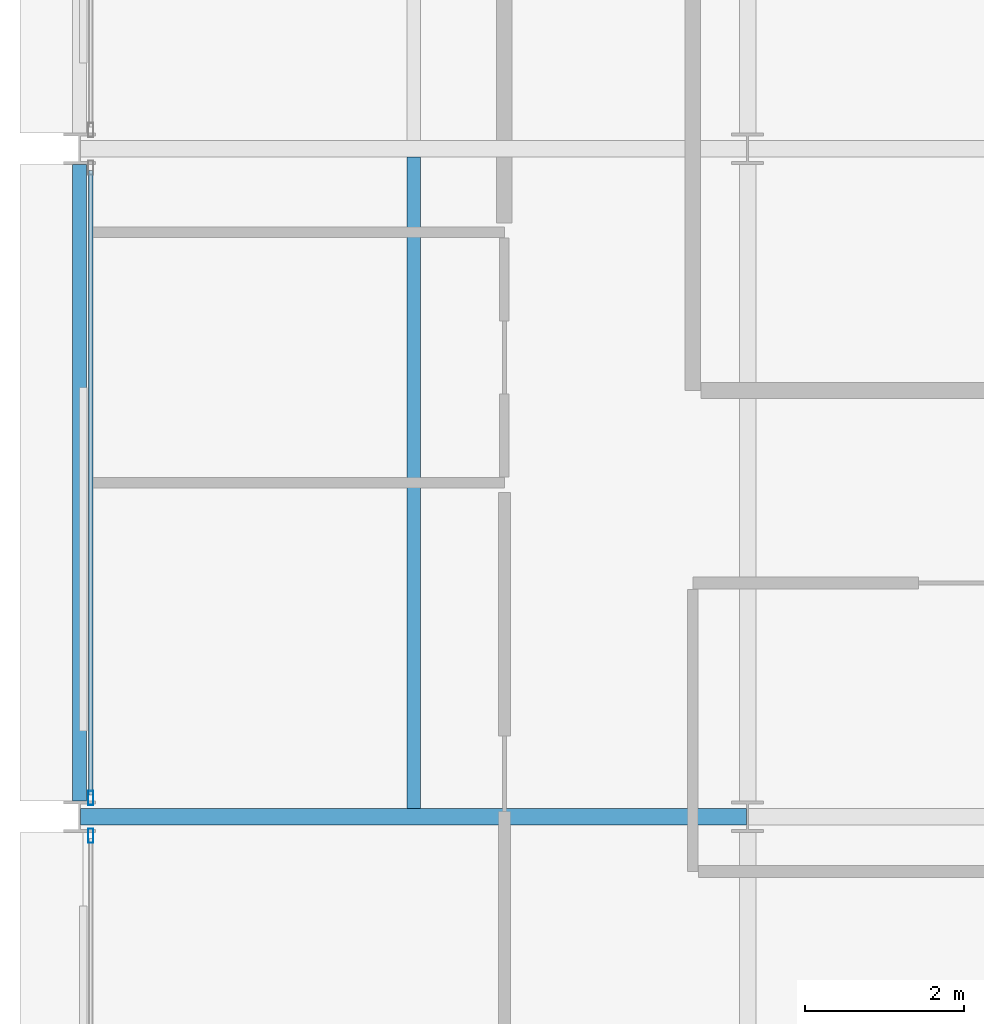
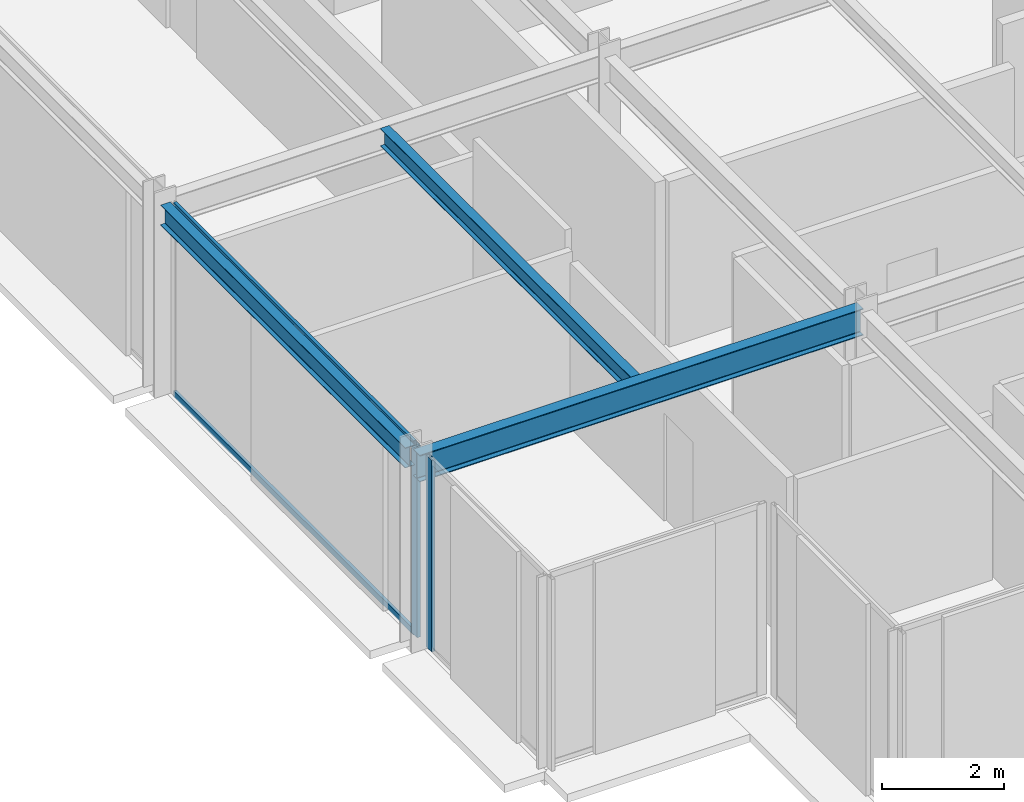
# One storey, part 6 of 39: 4 members, 3 beams, 2 elements without a shape of their own.
"""IFC4 building model written with IfcOpenShell, lengths in metres."""

from ifc_helpers import new_model, si_unit, direction, frame, origin, origin_2d, place, context, subcontext, project, spatial, hollow_rectangle, i_section, extrude, material, layer, layer_set, material_profile, profile_set, type_object, element, aggregate, save


model = new_model("IFC4")

# Units and contexts
model_context = context("Model", 3, precision=1e-05, world=origin(), true_north=direction((0.0, 1.0)))
body_context = subcontext(model_context, "Body", "Model", "MODEL_VIEW")
ifc_project = project(units=[si_unit("LENGTHUNIT", "METRE"), si_unit("AREAUNIT", "SQUARE_METRE"), si_unit("VOLUMEUNIT", "CUBIC_METRE"), si_unit("PLANEANGLEUNIT", "RADIAN"), si_unit("MASSUNIT", "GRAM", prefix="KILO")], contexts=[model_context])

# Site, building, storey
site_placement = place(None, origin())
site = spatial("IfcSite", under=ifc_project, at=site_placement, CompositionType="ELEMENT")
building_placement = place(site_placement, origin())
building = spatial("IfcBuilding", under=site, at=building_placement, Name="Nerrivon Quay Data Exchange", CompositionType="ELEMENT")
storey_placement = place(building_placement, frame((0.0, 0.0, 104.89990234375)))
storey = spatial("IfcBuildingStorey", under=building, at=storey_placement, Name="L24", CompositionType="ELEMENT", Elevation=104.89990234375)

# Beams
ifc_material_1 = material(Name="Steel Grade 350", Category="steel")
ifc_material_profile_1 = material_profile(ifc_material_1, i_section(OverallWidth=0.208984375, OverallDepth=0.532958984375, WebThickness=0.01025390625, FlangeThickness=0.015625, FilletRadius=0.013916015625, at=origin_2d()), Name="530UB92.4")
ifc_profile_set_1 = profile_set([ifc_material_profile_1], Name="Steel Grade 350")
beam_type_1 = type_object("IfcBeamType", Name="BM-G3-530UB92", PredefinedType="BEAM", material=ifc_profile_set_1)
beam_1_placement = place(storey_placement, frame((0.012451171875, 8.39990234375, 3.55859375), z_axis=(1.0, 0.0, 0.0), x_axis=(0.0, 1.0, 0.0)))
element("IfcBeam", 1, at=beam_1_placement, inside=storey, type_object=beam_type_1, Name="L24 EW Girder Y=8.4 (0.0..8.4)", PredefinedType="BEAM", context=body_context, shape_type="SweptSolid", body=[
    extrude(i_section(OverallWidth=0.208984375, OverallDepth=0.532958984375, WebThickness=0.01025390625, FlangeThickness=0.015625, FilletRadius=0.013916015625, at=origin_2d()), origin(), (0.0, 0.0, 1.0), 8.375),
])
ifc_material_profile_2 = material_profile(ifc_material_1, i_section(OverallWidth=0.1708984375, OverallDepth=0.35595703125, WebThickness=0.00732421875, FlangeThickness=0.011474609375, FilletRadius=0.011474609375, at=origin_2d()), Name="360UB50.7")
ifc_profile_set_2 = profile_set([ifc_material_profile_2], Name="Steel Grade 350")
beam_type_2 = type_object("IfcBeamType", Name="BM-J4-360UB51", PredefinedType="JOIST", material=ifc_profile_set_2)
beam_2_placement = place(storey_placement, frame((4.199951171875, 8.50439453125, 3.647216796875), z_axis=(0.0, 1.0, 0.0), x_axis=(-1.0, 0.0, 0.0)))
element("IfcBeam", 2, at=beam_2_placement, inside=storey, type_object=beam_type_2, Name="L24 Secondary Joist X=4.2 (8.4..16.8)", PredefinedType="JOIST", context=body_context, shape_type="SweptSolid", body=[
    extrude(i_section(OverallWidth=0.1708984375, OverallDepth=0.35595703125, WebThickness=0.00732421875, FlangeThickness=0.011474609375, FilletRadius=0.011474609375, at=origin_2d()), origin(), (0.0, 0.0, 1.0), 8.191162109375),
])
ifc_material_profile_3 = material_profile(ifc_material_1, i_section(OverallWidth=0.177978515625, OverallDepth=0.403076171875, WebThickness=0.007568359375, FlangeThickness=0.010986328125, FilletRadius=0.011474609375, at=origin_2d()), Name="410UB53.7")
ifc_profile_set_3 = profile_set([ifc_material_profile_3], Name="Steel Grade 350")
beam_type_3 = type_object("IfcBeamType", Name="BM-SP2-410UB54", PredefinedType="SPANDREL", material=ifc_profile_set_3)
beam_3_placement = place(storey_placement, frame((0.0, 8.60009765625, 3.62353515625), z_axis=(0.0, 1.0, 0.0), x_axis=(-1.0, 0.0, 0.0)))
element("IfcBeam", 3, at=beam_3_placement, inside=storey, type_object=beam_type_3, Name="L24 NS Girder X=0.0 (8.4..16.8)", PredefinedType="SPANDREL", context=body_context, shape_type="SweptSolid", body=[
    extrude(i_section(OverallWidth=0.177978515625, OverallDepth=0.403076171875, WebThickness=0.007568359375, FlangeThickness=0.010986328125, FilletRadius=0.011474609375, at=origin_2d()), origin(), (0.0, 0.0, 1.0), 8.0),
])

# Curtain wall, member
ifc_material_2 = material(Name="Anodised aluminium 6063-T6", Category="aluminium")
ifc_layer = layer(ifc_material_2, 0.2099609375)
ifc_layer_set = layer_set([ifc_layer], Name="Anodised aluminium 6063-T6")
curtain_wall_type = type_object("IfcCurtainWallType", Name="CW-SYS-02", PredefinedType="NOTDEFINED", material=ifc_layer_set)
curtain_wall_1_placement = place(storey_placement, origin())
curtain_wall_1 = element("IfcCurtainWall", 4, at=curtain_wall_1_placement, inside=storey, type_object=curtain_wall_type, Name="L24 Unitised Curtain Wall 17", PredefinedType="NOTDEFINED")
ifc_material_profile_4 = material_profile(ifc_material_2, hollow_rectangle(XDim=0.06494140625, YDim=0.179931640625, WallThickness=0.00341796875, at=origin_2d()), Name="ALU-MULL-180x65")
ifc_profile_set_4 = profile_set([ifc_material_profile_4], Name="Anodised aluminium 6063-T6")
member_type_1 = type_object("IfcMemberType", Name="CWM-180x65", PredefinedType="MULLION", material=ifc_profile_set_4)
member_1_placement = place(storey_placement, frame((0.139892578125, 8.16259765625, 0.0), z_axis=(0.0, 0.0, 1.0), x_axis=(-1.0, 0.0, 0.0)))
member_1 = element("IfcMember", 5, at=member_1_placement, type_object=member_type_1, Name="CW02 mullion 2", PredefinedType="MULLION", context=body_context, shape_type="SweptSolid", body=[
    extrude(hollow_rectangle(XDim=0.06494140625, YDim=0.179931640625, WallThickness=0.00341796875, at=origin_2d()), origin(), (0.0, 0.0, 1.0), 3.8251953125),
])
aggregate(curtain_wall_1, [member_1])

# Curtain wall, members
curtain_wall_2_placement = place(storey_placement, origin())
curtain_wall_2 = element("IfcCurtainWall", 6, at=curtain_wall_2_placement, inside=storey, type_object=curtain_wall_type, Name="L24 Unitised Curtain Wall 18", PredefinedType="NOTDEFINED")
member_2_placement = place(storey_placement, frame((0.139892578125, 8.637451171875, 0.0), z_axis=(0.0, 0.0, 1.0), x_axis=(-1.0, 0.0, 0.0)))
member_2 = element("IfcMember", 7, at=member_2_placement, type_object=member_type_1, Name="CW02 mullion 1", PredefinedType="MULLION", context=body_context, shape_type="SweptSolid", body=[
    extrude(hollow_rectangle(XDim=0.06494140625, YDim=0.179931640625, WallThickness=0.00341796875, at=origin_2d()), origin(), (0.0, 0.0, 1.0), 3.8251953125),
])
ifc_material_profile_5 = material_profile(ifc_material_2, hollow_rectangle(XDim=0.06005859375, YDim=0.1201171875, WallThickness=0.003173828125, at=origin_2d()), Name="ALU-TRAN-120x60")
ifc_profile_set_5 = profile_set([ifc_material_profile_5], Name="Anodised aluminium 6063-T6")
member_type_2 = type_object("IfcMemberType", Name="CWT-120x60", PredefinedType="USERDEFINED", material=ifc_profile_set_5)
member_3_placement = place(storey_placement, frame((0.139892578125, 8.675048828125, 0.03271484375), z_axis=(0.0, 1.0, 0.0), x_axis=(-1.0, 0.0, 0.0)))
member_3 = element("IfcMember", 8, at=member_3_placement, type_object=member_type_2, Name="CW02 transom 1.1", ObjectType="TRANSOM", PredefinedType="USERDEFINED", context=body_context, shape_type="SweptSolid", body=[
    extrude(hollow_rectangle(XDim=0.06005859375, YDim=0.1201171875, WallThickness=0.003173828125, at=origin_2d()), origin(), (0.0, 0.0, 1.0), 7.849853515625),
])
member_4_placement = place(storey_placement, frame((0.139892578125, 8.675048828125, 3.79248046875), z_axis=(0.0, 1.0, 0.0), x_axis=(-1.0, 0.0, 0.0)))
member_4 = element("IfcMember", 9, at=member_4_placement, type_object=member_type_2, Name="CW02 transom 1.2", ObjectType="TRANSOM", PredefinedType="USERDEFINED", context=body_context, shape_type="SweptSolid", body=[
    extrude(hollow_rectangle(XDim=0.06005859375, YDim=0.1201171875, WallThickness=0.003173828125, at=origin_2d()), origin(), (0.0, 0.0, 1.0), 7.849853515625),
])
aggregate(curtain_wall_2, [member_2, member_3, member_4])

save(model, "model.ifc")
